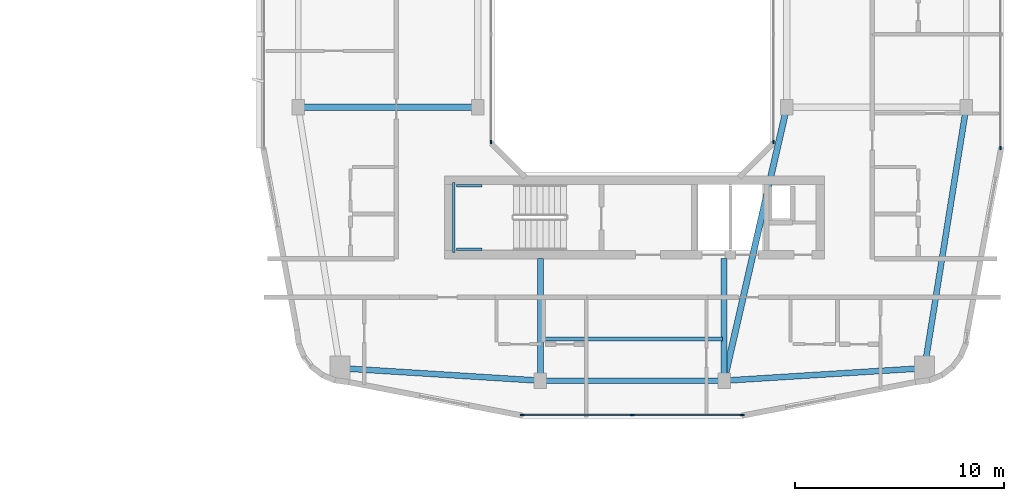
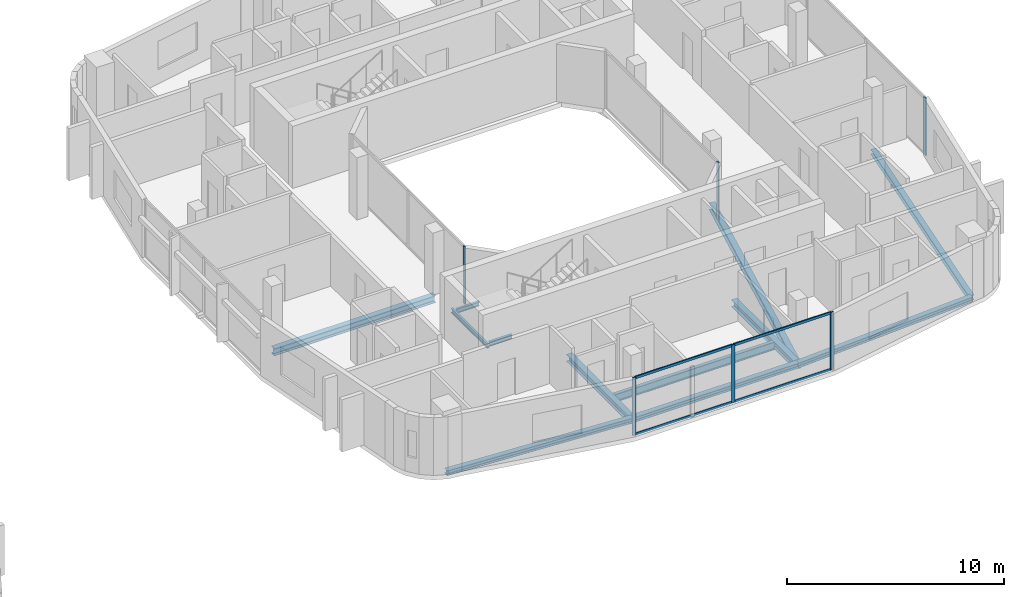
# One storey, part 8 of 26: 12 beams, 10 members, 4 elements without a shape of their own.
"""IFC4 building model written with IfcOpenShell, lengths in metres."""

from ifc_helpers import new_model, si_unit, derived_unit, direction, frame, origin, origin_2d, place, context, subcontext, project, spatial, rectangle, i_section, extrude, material, layer, layer_set, material_profile, profile_set, type_object, element, aggregate, save


model = new_model("IFC4")

# Units and contexts
model_context = context("Model", 3, precision=1e-05, world=origin(), true_north=direction((0.0, 1.0)))
body_context = subcontext(model_context, "Body", "Model", "MODEL_VIEW")
ifc_project = project(units=[si_unit("LENGTHUNIT", "METRE"), si_unit("AREAUNIT", "SQUARE_METRE"), si_unit("VOLUMEUNIT", "CUBIC_METRE"), si_unit("PLANEANGLEUNIT", "RADIAN"), si_unit("MASSUNIT", "GRAM", prefix="KILO"), derived_unit("THERMALTRANSMITTANCEUNIT", [(si_unit("POWERUNIT", "WATT"), 1), (si_unit("LENGTHUNIT", "METRE"), -2), (si_unit("THERMODYNAMICTEMPERATUREUNIT", "KELVIN"), -1)])], contexts=[model_context])

# Site, building, storey
site_placement = place(None, origin())
site = spatial("IfcSite", under=ifc_project, at=site_placement, CompositionType="ELEMENT")
building_placement = place(site_placement, origin())
building = spatial("IfcBuilding", under=site, at=building_placement, Name="Kivonza Crest Hotel", CompositionType="ELEMENT")
storey_placement = place(building_placement, frame((0.0, 0.0, 105.5)))
storey = spatial("IfcBuildingStorey", under=building, at=storey_placement, Name="L28", CompositionType="ELEMENT", Elevation=105.5)

# Beams
ifc_material_1 = material(Name="Steel S355", Category="steel")
ifc_material_profile_1 = material_profile(ifc_material_1, i_section(OverallWidth=0.280029296875, OverallDepth=0.280029296875, WebThickness=0.010498046875, FlangeThickness=0.01806640625, FilletRadius=0.02392578125, at=origin_2d()), Name="HEB 280")
ifc_profile_set_1 = profile_set([ifc_material_profile_1], Name="Steel S355")
beam_type_1 = type_object("IfcBeamType", Name="BM-HEB280", PredefinedType="SPANDREL", material=ifc_profile_set_1)
beam_1_placement = place(storey_placement, frame((72.60009765625, 8.39990234375, -0.389892578125), z_axis=(1.0, 0.0, 0.0), x_axis=(0.0, 1.0, 0.0)))
element("IfcBeam", 1, at=beam_1_placement, inside=storey, type_object=beam_type_1, Name="Companion Tower T2 L28 perimeter spandrel S1-S2", PredefinedType="SPANDREL", context=body_context, shape_type="SweptSolid", body=[
    extrude(i_section(OverallWidth=0.280029296875, OverallDepth=0.280029296875, WebThickness=0.010498046875, FlangeThickness=0.01806640625, FilletRadius=0.02392578125, at=origin_2d()), origin(), (0.0, 0.0, 1.0), 8.7998046875),
])
beam_2_placement = place(storey_placement, frame((81.39990234375, 8.39990234375, -0.389892578125), z_axis=(0.998051985873, 0.062387767186, 0.0), x_axis=(-0.062387767186, 0.998051985873, 0.0)))
element("IfcBeam", 2, at=beam_2_placement, inside=storey, type_object=beam_type_1, Name="Companion Tower T2 L28 perimeter spandrel S2-SE", PredefinedType="SPANDREL", context=body_context, shape_type="SweptSolid", body=[
    extrude(i_section(OverallWidth=0.280029296875, OverallDepth=0.280029296875, WebThickness=0.010498046875, FlangeThickness=0.01806640625, FilletRadius=0.02392578125, at=origin_2d()), origin(), (0.0, 0.0, 1.0), 9.618896484375),
])
beam_3_placement = place(storey_placement, frame((91.0, 9.0, -0.389892578125), z_axis=(0.157990501107, 0.987440631917, 0.0), x_axis=(-0.987440631917, 0.157990501107, 0.0)))
element("IfcBeam", 3, at=beam_3_placement, inside=storey, type_object=beam_type_1, Name="Companion Tower T2 L28 perimeter spandrel SE-E1", PredefinedType="SPANDREL", context=body_context, shape_type="SweptSolid", body=[
    extrude(i_section(OverallWidth=0.280029296875, OverallDepth=0.280029296875, WebThickness=0.010498046875, FlangeThickness=0.01806640625, FilletRadius=0.02392578125, at=origin_2d()), origin(), (0.0, 0.0, 1.0), 12.658935546875),
])
beam_4_placement = place(storey_placement, frame((63.0, 9.0, -0.389892578125), z_axis=(0.998051985873, -0.062387767186, 0.0), x_axis=(0.062387767186, 0.998051985873, 0.0)))
element("IfcBeam", 4, at=beam_4_placement, inside=storey, type_object=beam_type_1, Name="Companion Tower T2 L28 perimeter spandrel SW-S1", PredefinedType="SPANDREL", context=body_context, shape_type="SweptSolid", body=[
    extrude(i_section(OverallWidth=0.280029296875, OverallDepth=0.280029296875, WebThickness=0.010498046875, FlangeThickness=0.01806640625, FilletRadius=0.02392578125, at=origin_2d()), origin(), (0.0, 0.0, 1.0), 9.618896484375),
])
ifc_material_profile_2 = material_profile(ifc_material_1, i_section(OverallWidth=0.300048828125, OverallDepth=0.39990234375, WebThickness=0.013427734375, FlangeThickness=0.02392578125, FilletRadius=0.027099609375, at=origin_2d()), Name="HEB 400")
ifc_profile_set_2 = profile_set([ifc_material_profile_2], Name="Steel S355")
beam_type_2 = type_object("IfcBeamType", Name="BM-HEB400", PredefinedType="BEAM", material=ifc_profile_set_2)
beam_5_placement = place(storey_placement, frame((61.0, 21.5, -0.449951171875), z_axis=(1.0, 0.0, 0.0), x_axis=(0.0, 1.0, 0.0)))
element("IfcBeam", 5, at=beam_5_placement, inside=storey, type_object=beam_type_2, Name="Companion Tower T2 L28 girder W1-WL1", PredefinedType="BEAM", context=body_context, shape_type="SweptSolid", body=[
    extrude(i_section(OverallWidth=0.300048828125, OverallDepth=0.39990234375, WebThickness=0.013427734375, FlangeThickness=0.02392578125, FilletRadius=0.027099609375, at=origin_2d()), origin(), (0.0, 0.0, 1.0), 8.60009765625),
])
beam_6_placement = place(storey_placement, frame((84.39990234375, 21.5, -0.449951171875), z_axis=(-0.223227287589, -0.974766422317, 0.0), x_axis=(0.974766422317, -0.223227287589, 0.0)))
element("IfcBeam", 6, at=beam_6_placement, inside=storey, type_object=beam_type_2, Name="Companion Tower T2 L28 girder WR1-S2", PredefinedType="BEAM", context=body_context, shape_type="SweptSolid", body=[
    extrude(i_section(OverallWidth=0.300048828125, OverallDepth=0.39990234375, WebThickness=0.013427734375, FlangeThickness=0.02392578125, FilletRadius=0.027099609375, at=origin_2d()), origin(), (0.0, 0.0, 1.0), 13.439208984375),
])
for number, where, z_axis, x_axis, name in (
    (7, (72.60009765625, 8.39990234375, -0.449951171875), (0.0, 1.0, 0.0), (-1.0, 0.0, 0.0), "Companion T2 L28 radial core girder RS1"),
    (8, (81.39990234375, 8.39990234375, -0.449951171875), (0.0, 1.0, 0.0), (-1.0, 0.0, 0.0), "Companion T2 L28 radial core girder RS2"),
):
    element("IfcBeam", number, at=place(storey_placement, frame(where, z_axis=z_axis, x_axis=x_axis)), inside=storey, type_object=beam_type_2, Name=name, PredefinedType="BEAM", context=body_context, shape_type="SweptSolid", body=[
        extrude(i_section(OverallWidth=0.300048828125, OverallDepth=0.39990234375, WebThickness=0.013427734375, FlangeThickness=0.02392578125, FilletRadius=0.027099609375, at=origin_2d()), origin(), (0.0, 0.0, 1.0), 5.85009765625),
    ])
ifc_material_profile_3 = material_profile(ifc_material_1, i_section(OverallWidth=0.18994140625, OverallDepth=0.449951171875, WebThickness=0.009521484375, FlangeThickness=0.0146484375, FilletRadius=0.02099609375, at=origin_2d()), Name="IPE 450")
ifc_profile_set_3 = profile_set([ifc_material_profile_3], Name="Steel S355")
beam_type_3 = type_object("IfcBeamType", Name="BM-IPE450", PredefinedType="JOIST", material=ifc_profile_set_3)
beam_7_placement = place(storey_placement, frame((72.679931640625, 10.39990234375, -0.47509765625), z_axis=(1.0, 0.0, 0.0), x_axis=(0.0, 1.0, 0.0)))
element("IfcBeam", 9, at=beam_7_placement, inside=storey, type_object=beam_type_3, Name="Companion Tower T2 L28 South floor joist", PredefinedType="JOIST", context=body_context, shape_type="SweptSolid", body=[
    extrude(i_section(OverallWidth=0.18994140625, OverallDepth=0.449951171875, WebThickness=0.009521484375, FlangeThickness=0.0146484375, FilletRadius=0.02099609375, at=origin_2d()), origin(), (0.0, 0.0, 1.0), 8.64013671875),
])
ifc_material_profile_4 = material_profile(ifc_material_1, i_section(OverallWidth=0.1201171875, OverallDepth=0.239990234375, WebThickness=0.006103515625, FlangeThickness=0.009765625, FilletRadius=0.014892578125, at=origin_2d()), Name="IPE 240")
ifc_profile_set_4 = profile_set([ifc_material_profile_4], Name="Steel S355")
beam_type_4 = type_object("IfcBeamType", Name="BM-LLDG-240", PredefinedType="BEAM", material=ifc_profile_set_4)
beam_8_placement = place(storey_placement, frame((68.4599609375, 14.5400390625, 1.429931640625), z_axis=(0.0, 1.0, 0.0), x_axis=(-1.0, 0.0, 0.0)))
element("IfcBeam", 10, at=beam_8_placement, inside=storey, type_object=beam_type_4, Name="Stair ST-T2-S L28 West landing corbel", PredefinedType="BEAM", context=body_context, shape_type="SweptSolid", body=[
    extrude(i_section(OverallWidth=0.1201171875, OverallDepth=0.239990234375, WebThickness=0.006103515625, FlangeThickness=0.009765625, FilletRadius=0.014892578125, at=origin_2d()), origin(), (0.0, 0.0, 1.0), 3.35986328125),
])
for number, where, z_axis, x_axis, name in (
    (11, (68.590087890625, 14.699951171875, 1.429931640625), (1.0, 0.0, 0.0), (0.0, 1.0, 0.0), "Stair ST-T2-S L28 South landing corbel"),
    (12, (68.590087890625, 17.739990234375, 1.429931640625), (1.0, 0.0, 0.0), (0.0, 1.0, 0.0), "Stair ST-T2-S L28 North landing corbel"),
):
    element("IfcBeam", number, at=place(storey_placement, frame(where, z_axis=z_axis, x_axis=x_axis)), inside=storey, type_object=beam_type_4, Name=name, PredefinedType="BEAM", context=body_context, shape_type="SweptSolid", body=[
        extrude(i_section(OverallWidth=0.1201171875, OverallDepth=0.239990234375, WebThickness=0.006103515625, FlangeThickness=0.009765625, FilletRadius=0.014892578125, at=origin_2d()), origin(), (0.0, 0.0, 1.0), 1.2099609375),
    ])

# Curtain wall, members
ifc_material_2 = material(Name="Anodised bronze aluminium and low-E double glazing", Category="aluminium")
ifc_layer_1 = layer(ifc_material_2, 0.179931640625)
ifc_layer_set_1 = layer_set([ifc_layer_1], Name="Anodised bronze aluminium and low-E double glazing")
curtain_wall_type_1 = type_object("IfcCurtainWallType", Name="CW-SYS-4", PredefinedType="NOTDEFINED", material=ifc_layer_set_1)
curtain_wall_1_placement = place(storey_placement, origin())
curtain_wall_1 = element("IfcCurtainWall", 13, at=curtain_wall_1_placement, inside=storey, type_object=curtain_wall_type_1, Name="L28 unitised curtain wall CW-T2-L28-08", PredefinedType="NOTDEFINED")
ifc_material_3 = material(Name="Anodised bronze aluminium", Category="aluminium")
ifc_material_profile_5 = material_profile(ifc_material_3, rectangle(XDim=0.06494140625, YDim=0.179931640625, at=origin_2d()), Name="CW-M 65x180")
ifc_profile_set_5 = profile_set([ifc_material_profile_5], Name="Anodised bronze aluminium")
member_type_1 = type_object("IfcMemberType", Name="CW-MUL-65x180", PredefinedType="MULLION", material=ifc_profile_set_5)
member_1_placement = place(storey_placement, frame((71.732421875, 6.760009765625, 0.0), z_axis=(0.0, 0.0, 1.0), x_axis=(0.0, 1.0, 0.0)))
member_1 = element("IfcMember", 14, at=member_1_placement, type_object=member_type_1, Name="CW-4 mullion 1", PredefinedType="MULLION", context=body_context, shape_type="SweptSolid", body=[
    extrude(rectangle(XDim=0.06494140625, YDim=0.179931640625, at=origin_2d()), origin(), (0.0, 0.0, 1.0), 3.25),
])
member_2_placement = place(storey_placement, frame((77.0, 6.760009765625, 0.0), z_axis=(0.0, 0.0, 1.0), x_axis=(0.0, 1.0, 0.0)))
member_2 = element("IfcMember", 15, at=member_2_placement, type_object=member_type_1, Name="CW-4 mullion 2", PredefinedType="MULLION", context=body_context, shape_type="SweptSolid", body=[
    extrude(rectangle(XDim=0.06494140625, YDim=0.179931640625, at=origin_2d()), origin(), (0.0, 0.0, 1.0), 3.25),
])
member_3_placement = place(storey_placement, frame((82.267578125, 6.760009765625, 0.0), z_axis=(0.0, 0.0, 1.0), x_axis=(0.0, 1.0, 0.0)))
member_3 = element("IfcMember", 16, at=member_3_placement, type_object=member_type_1, Name="CW-4 mullion 3", PredefinedType="MULLION", context=body_context, shape_type="SweptSolid", body=[
    extrude(rectangle(XDim=0.06494140625, YDim=0.179931640625, at=origin_2d()), origin(), (0.0, 0.0, 1.0), 3.25),
])

# Curtain wall, member
curtain_wall_2_placement = place(storey_placement, origin())
curtain_wall_2 = element("IfcCurtainWall", 17, at=curtain_wall_2_placement, inside=storey, type_object=curtain_wall_type_1, Name="L28 unitised curtain wall CW-T2-L28-17", PredefinedType="NOTDEFINED")
member_4_placement = place(storey_placement, frame((94.639892578125, 19.552490234375, 0.0), z_axis=(0.0, 0.0, 1.0), x_axis=(-1.0, 0.0, 0.0)))
member_4 = element("IfcMember", 18, at=member_4_placement, type_object=member_type_1, Name="CW-4 mullion 1", PredefinedType="MULLION", context=body_context, shape_type="SweptSolid", body=[
    extrude(rectangle(XDim=0.06494140625, YDim=0.179931640625, at=origin_2d()), origin(), (0.0, 0.0, 1.0), 3.25),
])
aggregate(curtain_wall_2, [member_4])

ifc_layer_2 = layer(ifc_material_2, 0.159912109375)
ifc_layer_set_2 = layer_set([ifc_layer_2], Name="Anodised bronze aluminium and low-E double glazing")
curtain_wall_type_2 = type_object("IfcCurtainWallType", Name="CW-SYS-5", PredefinedType="NOTDEFINED", material=ifc_layer_set_2)
curtain_wall_3_placement = place(storey_placement, origin())
curtain_wall_3 = element("IfcCurtainWall", 19, at=curtain_wall_3_placement, inside=storey, type_object=curtain_wall_type_2, Name="L28 unitised curtain wall CW-WELL-T2-L28-3", PredefinedType="NOTDEFINED")
member_5_placement = place(storey_placement, frame((83.760009765625, 19.83251953125, 0.0), z_axis=(0.0, 0.0, 1.0), x_axis=(-1.0, 0.0, 0.0)))
member_5 = element("IfcMember", 20, at=member_5_placement, type_object=member_type_1, Name="CW-5 mullion 1", PredefinedType="MULLION", context=body_context, shape_type="SweptSolid", body=[
    extrude(rectangle(XDim=0.06494140625, YDim=0.179931640625, at=origin_2d()), origin(), (0.0, 0.0, 1.0), 3.25),
])
aggregate(curtain_wall_3, [member_5])

curtain_wall_4_placement = place(storey_placement, origin())
curtain_wall_4 = element("IfcCurtainWall", 21, at=curtain_wall_4_placement, inside=storey, type_object=curtain_wall_type_2, Name="L28 unitised curtain wall CW-WELL-T2-L28-7", PredefinedType="NOTDEFINED")
member_6_placement = place(storey_placement, frame((70.239990234375, 19.83251953125, 0.0), z_axis=(0.0, 0.0, 1.0), x_axis=(1.0, 0.0, 0.0)))
member_6 = element("IfcMember", 22, at=member_6_placement, type_object=member_type_1, Name="CW-5 mullion 3", PredefinedType="MULLION", context=body_context, shape_type="SweptSolid", body=[
    extrude(rectangle(XDim=0.06494140625, YDim=0.179931640625, at=origin_2d()), origin(), (0.0, 0.0, 1.0), 3.25),
])
aggregate(curtain_wall_4, [member_6])

# Member
ifc_material_profile_6 = material_profile(ifc_material_3, rectangle(XDim=0.06494140625, YDim=0.139892578125, at=origin_2d()), Name="CW-T 65x140")
ifc_profile_set_6 = profile_set([ifc_material_profile_6], Name="Anodised bronze aluminium")
member_type_2 = type_object("IfcMemberType", Name="CW-TRN-65x140", PredefinedType="USERDEFINED", material=ifc_profile_set_6)
member_7_placement = place(storey_placement, frame((71.764892578125, 6.760009765625, 0.032470703125), z_axis=(1.0, 0.0, 0.0), x_axis=(0.0, 1.0, 0.0)))
member_7 = element("IfcMember", 23, at=member_7_placement, type_object=member_type_2, Name="CW-4 transom 1.1", ObjectType="TRANSOM", PredefinedType="USERDEFINED", context=body_context, shape_type="SweptSolid", body=[
    extrude(rectangle(XDim=0.06494140625, YDim=0.139892578125, at=origin_2d()), origin(), (0.0, 0.0, 1.0), 5.20263671875),
])

member_8_placement = place(storey_placement, frame((71.764892578125, 6.760009765625, 3.217529296875), z_axis=(1.0, 0.0, 0.0), x_axis=(0.0, 1.0, 0.0)))
member_8 = element("IfcMember", 24, at=member_8_placement, type_object=member_type_2, Name="CW-4 transom 1.2", ObjectType="TRANSOM", PredefinedType="USERDEFINED", context=body_context, shape_type="SweptSolid", body=[
    extrude(rectangle(XDim=0.06494140625, YDim=0.139892578125, at=origin_2d()), origin(), (0.0, 0.0, 1.0), 5.20263671875),
])

member_9_placement = place(storey_placement, frame((77.032470703125, 6.760009765625, 0.032470703125), z_axis=(1.0, 0.0, 0.0), x_axis=(0.0, 1.0, 0.0)))
member_9 = element("IfcMember", 25, at=member_9_placement, type_object=member_type_2, Name="CW-4 transom 2.1", ObjectType="TRANSOM", PredefinedType="USERDEFINED", context=body_context, shape_type="SweptSolid", body=[
    extrude(rectangle(XDim=0.06494140625, YDim=0.139892578125, at=origin_2d()), origin(), (0.0, 0.0, 1.0), 5.20263671875),
])

member_10_placement = place(storey_placement, frame((77.032470703125, 6.760009765625, 3.217529296875), z_axis=(1.0, 0.0, 0.0), x_axis=(0.0, 1.0, 0.0)))
member_10 = element("IfcMember", 26, at=member_10_placement, type_object=member_type_2, Name="CW-4 transom 2.2", ObjectType="TRANSOM", PredefinedType="USERDEFINED", context=body_context, shape_type="SweptSolid", body=[
    extrude(rectangle(XDim=0.06494140625, YDim=0.139892578125, at=origin_2d()), origin(), (0.0, 0.0, 1.0), 5.20263671875),
])

aggregate(curtain_wall_1, [member_1, member_2, member_3, member_7, member_8, member_9, member_10])

save(model, "model.ifc")
